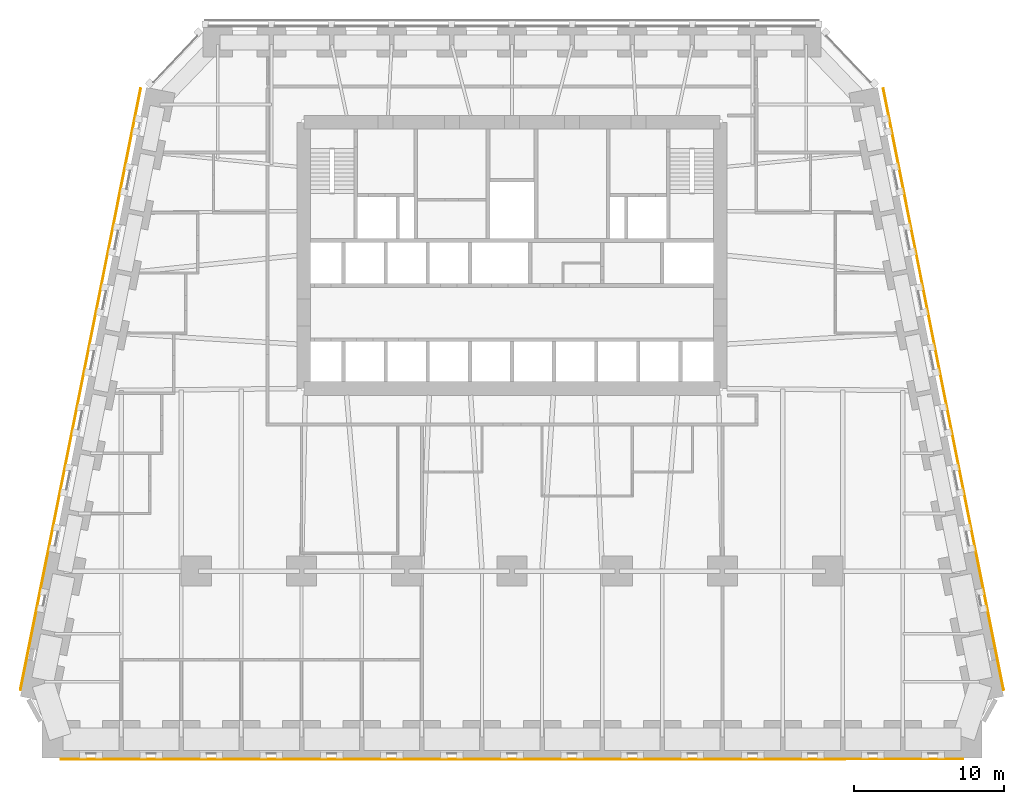
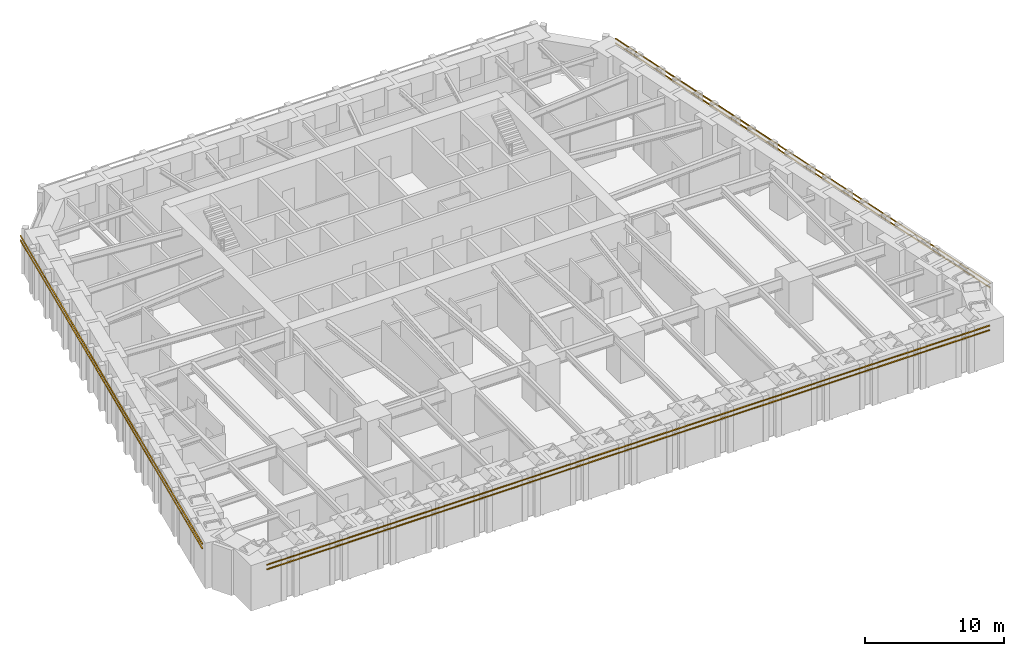
# One storey, part 16 of 17: 6 shading devices.
"""IFC4 building model written with IfcOpenShell, lengths in metres."""

from ifc_helpers import new_model, si_unit, direction, frame, origin, origin_2d, place, context, subcontext, project, spatial, rectangle, extrude, material, material_profile, profile_set, type_object, element, save


model = new_model("IFC4")

# Units and contexts
model_context = context("Model", 3, precision=1e-05, world=origin(), true_north=direction((0.0, 1.0)))
body_context = subcontext(model_context, "Body", "Model", "MODEL_VIEW")
ifc_project = project(units=[si_unit("LENGTHUNIT", "METRE"), si_unit("AREAUNIT", "SQUARE_METRE"), si_unit("VOLUMEUNIT", "CUBIC_METRE"), si_unit("PLANEANGLEUNIT", "RADIAN"), si_unit("MASSUNIT", "GRAM", prefix="KILO")], contexts=[model_context])

# Site, building, storey
site_placement = place(None, origin())
site = spatial("IfcSite", under=ifc_project, at=site_placement, CompositionType="ELEMENT")
building_placement = place(site_placement, origin())
building = spatial("IfcBuilding", under=site, at=building_placement, Name="Isbrekke Arena Tower", CompositionType="ELEMENT")
storey_placement = place(building_placement, frame((0.0, 0.0, 48.0)))
storey = spatial("IfcBuildingStorey", under=building, at=storey_placement, Name="L09", CompositionType="ELEMENT", Elevation=48.0)

# Shading devices
ifc_material = material(Name="Terracotta", Category="masonry")
ifc_material_profile = material_profile(ifc_material, rectangle(XDim=0.06005859375, YDim=0.06005859375, at=origin_2d()), Name="BAGUETTE 60X60")
ifc_profile_set = profile_set([ifc_material_profile], Name="Terracotta")
shading_device_type = type_object("IfcShadingDeviceType", Name="BG1 TERRACOTTA BAGUETTE 60 x 60", PredefinedType="USERDEFINED", material=ifc_profile_set)
for number, where, z_axis, x_axis, name in (
    (1, (-30.0, -18.5048828125, 3.280029296875), (1.0, 0.0, 0.0), (0.0, 1.0, 0.0), "BG1 terracotta baguette S1 L09"),
    (2, (-30.0, -18.5048828125, 3.679931640625), (1.0, 0.0, 0.0), (0.0, 1.0, 0.0), "BG1 terracotta baguette S2 L09"),
):
    element("IfcShadingDevice", number, at=place(storey_placement, frame(where, z_axis=z_axis, x_axis=x_axis)), inside=storey, type_object=shading_device_type, Name=name, ObjectType="TERRACOTTA BAGUETTE", PredefinedType="USERDEFINED", context=body_context, shape_type="SweptSolid", body=[
        extrude(rectangle(XDim=0.06005859375, YDim=0.06005859375, at=origin_2d()), origin(), (0.0, 0.0, 1.0), 60.0),
    ])
for number, where, z_axis, x_axis, name in (
    (3, (32.6953125, -13.90087890625, 3.280029296875), (-0.196116135138, 0.980580675691, 0.0), (-0.980580675691, -0.196116135138, 0.0), "BG1 terracotta baguette E1 L09"),
    (4, (32.6953125, -13.90087890625, 3.679931640625), (-0.196116135138, 0.980580675691, 0.0), (-0.980580675691, -0.196116135138, 0.0), "BG1 terracotta baguette E2 L09"),
    (5, (-24.6953125, 26.09912109375, 3.280029296875), (-0.196116135138, -0.980580675691, 0.0), (0.980580675691, -0.196116135138, 0.0), "BG1 terracotta baguette W1 L09"),
    (6, (-24.6953125, 26.09912109375, 3.679931640625), (-0.196116135138, -0.980580675691, 0.0), (0.980580675691, -0.196116135138, 0.0), "BG1 terracotta baguette W2 L09"),
):
    element("IfcShadingDevice", number, at=place(storey_placement, frame(where, z_axis=z_axis, x_axis=x_axis)), inside=storey, type_object=shading_device_type, Name=name, ObjectType="TERRACOTTA BAGUETTE", PredefinedType="USERDEFINED", context=body_context, shape_type="SweptSolid", body=[
        extrude(rectangle(XDim=0.06005859375, YDim=0.06005859375, at=origin_2d()), origin(), (0.0, 0.0, 1.0), 40.792236328125),
    ])

save(model, "model.ifc")
